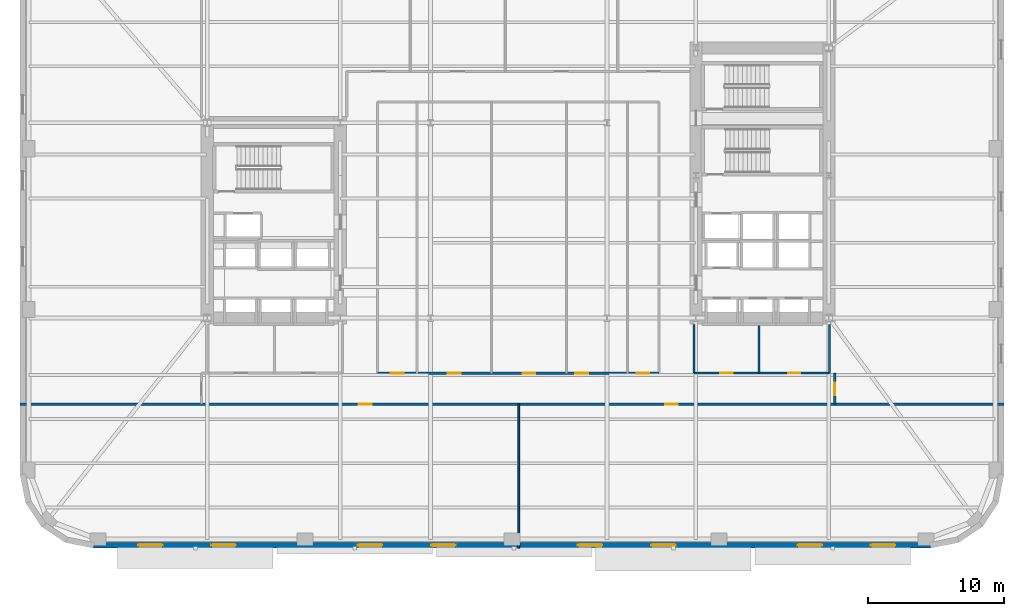
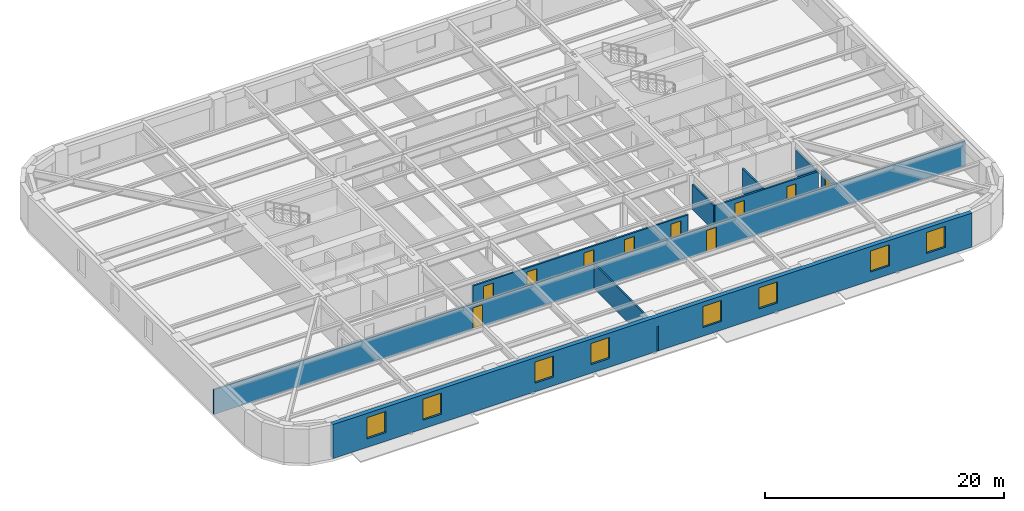
# One storey, part 5 of 14: 10 doors, 9 walls, 8 windows, 18 openings.
"""IFC4 building model written with IfcOpenShell, lengths in metres."""

from ifc_helpers import new_model, si_unit, direction, frame, frame_2d, origin, place, context, subcontext, project, spatial, rectangle, extrude, material, layer, layer_set, type_object, element, fill, save


model = new_model("IFC4")

# Units and contexts
model_context = context("Model", 3, precision=1e-05, world=origin(), true_north=direction((0.0, 1.0)))
body_context = subcontext(model_context, "Body", "Model", "MODEL_VIEW")
ifc_project = project(units=[si_unit("LENGTHUNIT", "METRE"), si_unit("AREAUNIT", "SQUARE_METRE"), si_unit("VOLUMEUNIT", "CUBIC_METRE"), si_unit("PLANEANGLEUNIT", "RADIAN"), si_unit("MASSUNIT", "GRAM", prefix="KILO")], contexts=[model_context])

# Site, building, storey
site_placement = place(None, origin())
site = spatial("IfcSite", under=ifc_project, at=site_placement, CompositionType="ELEMENT")
building_placement = place(site_placement, origin())
building = spatial("IfcBuilding", under=site, at=building_placement, Name="Kolvaren Arena Tower", CompositionType="ELEMENT")
storey_placement = place(building_placement, frame((0.0, 0.0, 75.75)))
storey = spatial("IfcBuildingStorey", under=building, at=storey_placement, Name="L16", CompositionType="ELEMENT", Elevation=75.75)

# Wall, openings, doors
ifc_material_1 = material(Name="Gypsum board acoustic assembly", Category="gypsum")
ifc_layer_1 = layer(ifc_material_1, 0.159912109375)
ifc_layer_set_1 = layer_set([ifc_layer_1], Name="Gypsum board acoustic assembly")
wall_type_1 = type_object("IfcWallType", Name="CORR-160", PredefinedType="PARTITIONING", material=ifc_layer_set_1)
wall_1_placement = place(storey_placement, frame((0.75, 13.10009765625, 0.0), z_axis=(0.0, 0.0, 1.0), x_axis=(1.0, 0.0, 0.0)))
wall_1 = element("IfcWall", 1, at=wall_1_placement, inside=storey, type_object=wall_type_1, Name="Interior Partition Wall (L16)", PredefinedType="PARTITIONING", context=body_context, shape_type="SweptSolid", body=[
    extrude(rectangle(XDim=72.5, YDim=0.159912109375, at=frame_2d((36.25, 0.0))), origin(), (0.0, 0.0, 1.0), 2.5400390625),
])
opening_1_placement = place(wall_1_placement, frame((24.97509765625, 0.0, 0.0)))
opening_1 = element("IfcOpeningElement", 2, at=opening_1_placement, cuts=wall_1, Name="Opening D05", PredefinedType="OPENING", context=body_context, shape_type="SweptSolid", body=[
    extrude(rectangle(XDim=0.949951171875, YDim=2.14990234375, at=frame_2d((0.47509765625, 1.074951171875))), frame((0.0, 0.08984375, 0.0), z_axis=(0.0, -1.0, 0.0), x_axis=(1.0, 0.0, 0.0)), (0.0, 0.0, 1.0), 0.179931640625),
])
opening_2_placement = place(wall_1_placement, frame((47.52490234375, 0.0, 0.0)))
opening_2 = element("IfcOpeningElement", 3, at=opening_2_placement, cuts=wall_1, Name="Opening D05", PredefinedType="OPENING", context=body_context, shape_type="SweptSolid", body=[
    extrude(rectangle(XDim=0.949951171875, YDim=2.14990234375, at=frame_2d((0.47509765625, 1.074951171875))), frame((0.0, 0.08984375, 0.0), z_axis=(0.0, -1.0, 0.0), x_axis=(1.0, 0.0, 0.0)), (0.0, 0.0, 1.0), 0.179931640625),
])
ifc_material_2 = material(Name="Solid-core oak acoustic office door", Category="wood")
door_type_1 = type_object("IfcDoorType", Name="DOOR-OF-095", OperationType="NOTDEFINED", PredefinedType="DOOR", material=ifc_material_2)
door_1_placement = place(opening_1_placement, origin())
door_1 = element("IfcDoor", 4, at=door_1_placement, inside=storey, type_object=door_type_1, Name="Tenant Reception Area Door (L16)", OperationType="SINGLE_SWING_RIGHT", OverallHeight=2.14990234375, OverallWidth=0.949951171875, PredefinedType="DOOR", context=body_context, shape_type="SweptSolid", body=[
    extrude(rectangle(XDim=0.949951171875, YDim=2.14990234375, at=frame_2d((0.47509765625, 1.074951171875))), frame((0.0, 0.02490234375, 0.0), z_axis=(0.0, -1.0, 0.0), x_axis=(1.0, 0.0, 0.0)), (0.0, 0.0, 1.0), 0.050048828125),
])
fill(opening_1, door_1)
door_2_placement = place(opening_2_placement, origin())
door_2 = element("IfcDoor", 5, at=door_2_placement, inside=storey, type_object=door_type_1, Name="Collaborative Work Studio Door (L16)", OperationType="SINGLE_SWING_LEFT", OverallHeight=2.14990234375, OverallWidth=0.949951171875, PredefinedType="DOOR", context=body_context, shape_type="SweptSolid", body=[
    extrude(rectangle(XDim=0.949951171875, YDim=2.14990234375, at=frame_2d((0.47509765625, 1.074951171875))), frame((0.0, 0.02490234375, 0.0), z_axis=(0.0, -1.0, 0.0), x_axis=(1.0, 0.0, 0.0)), (0.0, 0.0, 1.0), 0.050048828125),
])
fill(opening_2, door_2)

wall_2_placement = place(storey_placement, frame((27.080078125, 15.3798828125, 0.0), z_axis=(0.0, 0.0, 1.0), x_axis=(1.0, 0.0, 0.0)))
wall_2 = element("IfcWall", 6, at=wall_2_placement, inside=storey, type_object=wall_type_1, Name="Interior Partition Wall (L16)", PredefinedType="PARTITIONING", context=body_context, shape_type="SweptSolid", body=[
    extrude(rectangle(XDim=20.739990234375, YDim=0.159912109375, at=frame_2d((10.3701171875, 0.0))), origin(), (0.0, 0.0, 1.0), 2.5400390625),
])
opening_3_placement = place(wall_2_placement, frame((0.9951171875, 0.0, 0.0)))
opening_3 = element("IfcOpeningElement", 7, at=opening_3_placement, cuts=wall_2, Name="Opening D05", PredefinedType="OPENING", context=body_context, shape_type="SweptSolid", body=[
    extrude(rectangle(XDim=0.949951171875, YDim=2.14990234375, at=frame_2d((0.47509765625, 1.074951171875))), frame((0.0, 0.08984375, 0.0), z_axis=(0.0, -1.0, 0.0), x_axis=(1.0, 0.0, 0.0)), (0.0, 0.0, 1.0), 0.179931640625),
])
opening_4_placement = place(wall_2_placement, frame((5.195068359375, 0.0, 0.0)))
opening_4 = element("IfcOpeningElement", 8, at=opening_4_placement, cuts=wall_2, Name="Opening D05", PredefinedType="OPENING", context=body_context, shape_type="SweptSolid", body=[
    extrude(rectangle(XDim=0.949951171875, YDim=2.14990234375, at=frame_2d((0.47509765625, 1.074951171875))), frame((0.0, 0.08984375, 0.0), z_axis=(0.0, -1.0, 0.0), x_axis=(1.0, 0.0, 0.0)), (0.0, 0.0, 1.0), 0.179931640625),
])
opening_5_placement = place(wall_2_placement, frame((10.695068359375, 0.0, 0.0)))
opening_5 = element("IfcOpeningElement", 9, at=opening_5_placement, cuts=wall_2, Name="Opening D05", PredefinedType="OPENING", context=body_context, shape_type="SweptSolid", body=[
    extrude(rectangle(XDim=0.949951171875, YDim=2.14990234375, at=frame_2d((0.47509765625, 1.074951171875))), frame((0.0, 0.08984375, 0.0), z_axis=(0.0, -1.0, 0.0), x_axis=(1.0, 0.0, 0.0)), (0.0, 0.0, 1.0), 0.179931640625),
])
opening_6_placement = place(wall_2_placement, frame((14.594970703125, 0.0, 0.0)))
opening_6 = element("IfcOpeningElement", 10, at=opening_6_placement, cuts=wall_2, Name="Opening D05", PredefinedType="OPENING", context=body_context, shape_type="SweptSolid", body=[
    extrude(rectangle(XDim=0.949951171875, YDim=2.14990234375, at=frame_2d((0.47509765625, 1.074951171875))), frame((0.0, 0.08984375, 0.0), z_axis=(0.0, -1.0, 0.0), x_axis=(1.0, 0.0, 0.0)), (0.0, 0.0, 1.0), 0.179931640625),
])
opening_7_placement = place(wall_2_placement, frame((19.094970703125, 0.0, 0.0)))
opening_7 = element("IfcOpeningElement", 11, at=opening_7_placement, cuts=wall_2, Name="Opening D05", PredefinedType="OPENING", context=body_context, shape_type="SweptSolid", body=[
    extrude(rectangle(XDim=0.949951171875, YDim=2.14990234375, at=frame_2d((0.47509765625, 1.074951171875))), frame((0.0, 0.08984375, 0.0), z_axis=(0.0, -1.0, 0.0), x_axis=(1.0, 0.0, 0.0)), (0.0, 0.0, 1.0), 0.179931640625),
])
door_3_placement = place(opening_3_placement, origin())
door_3 = element("IfcDoor", 12, at=door_3_placement, inside=storey, type_object=door_type_1, Name="Tenant Reception Area Door (L16)", OperationType="SINGLE_SWING_RIGHT", OverallHeight=2.14990234375, OverallWidth=0.949951171875, PredefinedType="DOOR", context=body_context, shape_type="SweptSolid", body=[
    extrude(rectangle(XDim=0.949951171875, YDim=2.14990234375, at=frame_2d((0.47509765625, 1.074951171875))), frame((0.0, 0.02490234375, 0.0), z_axis=(0.0, -1.0, 0.0), x_axis=(1.0, 0.0, 0.0)), (0.0, 0.0, 1.0), 0.050048828125),
])
fill(opening_3, door_3)
door_4_placement = place(opening_4_placement, origin())
door_4 = element("IfcDoor", 13, at=door_4_placement, inside=storey, type_object=door_type_1, Name="Collaborative Work Studio Door (L16)", OperationType="SINGLE_SWING_LEFT", OverallHeight=2.14990234375, OverallWidth=0.949951171875, PredefinedType="DOOR", context=body_context, shape_type="SweptSolid", body=[
    extrude(rectangle(XDim=0.949951171875, YDim=2.14990234375, at=frame_2d((0.47509765625, 1.074951171875))), frame((0.0, 0.02490234375, 0.0), z_axis=(0.0, -1.0, 0.0), x_axis=(1.0, 0.0, 0.0)), (0.0, 0.0, 1.0), 0.050048828125),
])
fill(opening_4, door_4)
door_5_placement = place(opening_5_placement, origin())
door_5 = element("IfcDoor", 14, at=door_5_placement, inside=storey, type_object=door_type_1, Name="Open Plan Office Door (L16)", OperationType="SINGLE_SWING_RIGHT", OverallHeight=2.14990234375, OverallWidth=0.949951171875, PredefinedType="DOOR", context=body_context, shape_type="SweptSolid", body=[
    extrude(rectangle(XDim=0.949951171875, YDim=2.14990234375, at=frame_2d((0.47509765625, 1.074951171875))), frame((0.0, 0.02490234375, 0.0), z_axis=(0.0, -1.0, 0.0), x_axis=(1.0, 0.0, 0.0)), (0.0, 0.0, 1.0), 0.050048828125),
])
fill(opening_5, door_5)
door_6_placement = place(opening_6_placement, origin())
door_6 = element("IfcDoor", 15, at=door_6_placement, inside=storey, type_object=door_type_1, Name="Wellness Room Door (L16)", OperationType="SINGLE_SWING_LEFT", OverallHeight=2.14990234375, OverallWidth=0.949951171875, PredefinedType="DOOR", context=body_context, shape_type="SweptSolid", body=[
    extrude(rectangle(XDim=0.949951171875, YDim=2.14990234375, at=frame_2d((0.47509765625, 1.074951171875))), frame((0.0, 0.02490234375, 0.0), z_axis=(0.0, -1.0, 0.0), x_axis=(1.0, 0.0, 0.0)), (0.0, 0.0, 1.0), 0.050048828125),
])
fill(opening_6, door_6)
door_7_placement = place(opening_7_placement, origin())
door_7 = element("IfcDoor", 16, at=door_7_placement, inside=storey, type_object=door_type_1, Name="Boardroom Door (L16)", OperationType="SINGLE_SWING_RIGHT", OverallHeight=2.14990234375, OverallWidth=0.949951171875, PredefinedType="DOOR", context=body_context, shape_type="SweptSolid", body=[
    extrude(rectangle(XDim=0.949951171875, YDim=2.14990234375, at=frame_2d((0.47509765625, 1.074951171875))), frame((0.0, 0.02490234375, 0.0), z_axis=(0.0, -1.0, 0.0), x_axis=(1.0, 0.0, 0.0)), (0.0, 0.0, 1.0), 0.050048828125),
])
fill(opening_7, door_7)

# Wall, opening, door
wall_3_placement = place(storey_placement, frame((60.780029296875, 13.10009765625, 0.0), z_axis=(0.0, 0.0, 1.0), x_axis=(0.0, 1.0, 0.0)))
wall_3 = element("IfcWall", 17, at=wall_3_placement, inside=storey, type_object=wall_type_1, Name="Interior Partition Wall (L16)", PredefinedType="PARTITIONING", context=body_context, shape_type="SweptSolid", body=[
    extrude(rectangle(XDim=2.2998046875, YDim=0.159912109375, at=frame_2d((1.14990234375, 0.0))), origin(), (0.0, 0.0, 1.0), 2.5400390625),
])
opening_8_placement = place(wall_3_placement, frame((0.64990234375, 0.0, 0.0)))
opening_8 = element("IfcOpeningElement", 18, at=opening_8_placement, cuts=wall_3, Name="Opening D05", PredefinedType="OPENING", context=body_context, shape_type="SweptSolid", body=[
    extrude(rectangle(XDim=0.949951171875, YDim=2.14990234375, at=frame_2d((0.47509765625, 1.074951171875))), frame((0.0, 0.08984375, 0.0), z_axis=(0.0, -1.0, 0.0), x_axis=(1.0, 0.0, 0.0)), (0.0, 0.0, 1.0), 0.179931640625),
])
door_8_placement = place(opening_8_placement, origin())
door_8 = element("IfcDoor", 19, at=door_8_placement, inside=storey, type_object=door_type_1, Name="East Wing Studio Door (L16)", OperationType="SINGLE_SWING_RIGHT", OverallHeight=2.14990234375, OverallWidth=0.949951171875, PredefinedType="DOOR", context=body_context, shape_type="SweptSolid", body=[
    extrude(rectangle(XDim=0.949951171875, YDim=2.14990234375, at=frame_2d((0.47509765625, 1.074951171875))), frame((0.0, 0.02490234375, 0.0), z_axis=(0.0, -1.0, 0.0), x_axis=(1.0, 0.0, 0.0)), (0.0, 0.0, 1.0), 0.050048828125),
])
fill(opening_8, door_8)

# Wall, openings, windows
ifc_material_3 = material(Name="Precast concrete C50/60", Category="concrete")
ifc_layer_2 = layer(ifc_material_3, 0.419921875)
ifc_layer_set_2 = layer_set([ifc_layer_2], Name="Precast concrete C50/60")
wall_type_2 = type_object("IfcWallType", Name="EXT-PIER1", PredefinedType="SOLIDWALL", material=ifc_layer_set_2)
wall_4_placement = place(storey_placement, frame((67.85009765625, 2.7099609375, 0.0), z_axis=(0.0, 0.0, 1.0), x_axis=(-1.0, 0.0, 0.0)))
wall_4 = element("IfcWall", 20, at=wall_4_placement, inside=storey, type_object=wall_type_2, Name="Exterior Precast Masonry-Frame Wall (L16)", PredefinedType="SOLIDWALL", context=body_context, shape_type="SweptSolid", body=[
    extrude(rectangle(XDim=61.7001953125, YDim=0.419921875, at=frame_2d((30.85009765625, 0.0))), origin(), (0.0, 0.0, 1.0), 3.47998046875),
])
opening_9_placement = place(wall_4_placement, frame((2.60009765625, 0.0, 0.8798828125)))
opening_9 = element("IfcOpeningElement", 21, at=opening_9_placement, cuts=wall_4, Name="Opening W02", PredefinedType="OPENING", context=body_context, shape_type="SweptSolid", body=[
    extrude(rectangle(XDim=1.800048828125, YDim=2.14990234375, at=frame_2d((0.89990234375, 1.074951171875))), frame((0.0, 0.219970703125, 0.0), z_axis=(0.0, -1.0, 0.0), x_axis=(1.0, 0.0, 0.0)), (0.0, 0.0, 1.0), 0.43994140625),
])
opening_10_placement = place(wall_4_placement, frame((8.0, 0.0, 0.8798828125)))
opening_10 = element("IfcOpeningElement", 22, at=opening_10_placement, cuts=wall_4, Name="Opening W02", PredefinedType="OPENING", context=body_context, shape_type="SweptSolid", body=[
    extrude(rectangle(XDim=1.800048828125, YDim=2.14990234375, at=frame_2d((0.89990234375, 1.074951171875))), frame((0.0, 0.219970703125, 0.0), z_axis=(0.0, -1.0, 0.0), x_axis=(1.0, 0.0, 0.0)), (0.0, 0.0, 1.0), 0.43994140625),
])
opening_11_placement = place(wall_4_placement, frame((18.800048828125, 0.0, 0.8798828125)))
opening_11 = element("IfcOpeningElement", 23, at=opening_11_placement, cuts=wall_4, Name="Opening W02", PredefinedType="OPENING", context=body_context, shape_type="SweptSolid", body=[
    extrude(rectangle(XDim=1.800048828125, YDim=2.14990234375, at=frame_2d((0.89990234375, 1.074951171875))), frame((0.0, 0.219970703125, 0.0), z_axis=(0.0, -1.0, 0.0), x_axis=(1.0, 0.0, 0.0)), (0.0, 0.0, 1.0), 0.43994140625),
])
opening_12_placement = place(wall_4_placement, frame((24.199951171875, 0.0, 0.8798828125)))
opening_12 = element("IfcOpeningElement", 24, at=opening_12_placement, cuts=wall_4, Name="Opening W02", PredefinedType="OPENING", context=body_context, shape_type="SweptSolid", body=[
    extrude(rectangle(XDim=1.800048828125, YDim=2.14990234375, at=frame_2d((0.89990234375, 1.074951171875))), frame((0.0, 0.219970703125, 0.0), z_axis=(0.0, -1.0, 0.0), x_axis=(1.0, 0.0, 0.0)), (0.0, 0.0, 1.0), 0.43994140625),
])
opening_13_placement = place(wall_4_placement, frame((35.0, 0.0, 0.8798828125)))
opening_13 = element("IfcOpeningElement", 25, at=opening_13_placement, cuts=wall_4, Name="Opening W02", PredefinedType="OPENING", context=body_context, shape_type="SweptSolid", body=[
    extrude(rectangle(XDim=1.800048828125, YDim=2.14990234375, at=frame_2d((0.89990234375, 1.074951171875))), frame((0.0, 0.219970703125, 0.0), z_axis=(0.0, -1.0, 0.0), x_axis=(1.0, 0.0, 0.0)), (0.0, 0.0, 1.0), 0.43994140625),
])
opening_14_placement = place(wall_4_placement, frame((40.39990234375, 0.0, 0.8798828125)))
opening_14 = element("IfcOpeningElement", 26, at=opening_14_placement, cuts=wall_4, Name="Opening W02", PredefinedType="OPENING", context=body_context, shape_type="SweptSolid", body=[
    extrude(rectangle(XDim=1.800048828125, YDim=2.14990234375, at=frame_2d((0.89990234375, 1.074951171875))), frame((0.0, 0.219970703125, 0.0), z_axis=(0.0, -1.0, 0.0), x_axis=(1.0, 0.0, 0.0)), (0.0, 0.0, 1.0), 0.43994140625),
])
opening_15_placement = place(wall_4_placement, frame((51.199951171875, 0.0, 0.8798828125)))
opening_15 = element("IfcOpeningElement", 27, at=opening_15_placement, cuts=wall_4, Name="Opening W02", PredefinedType="OPENING", context=body_context, shape_type="SweptSolid", body=[
    extrude(rectangle(XDim=1.800048828125, YDim=2.14990234375, at=frame_2d((0.89990234375, 1.074951171875))), frame((0.0, 0.219970703125, 0.0), z_axis=(0.0, -1.0, 0.0), x_axis=(1.0, 0.0, 0.0)), (0.0, 0.0, 1.0), 0.43994140625),
])
opening_16_placement = place(wall_4_placement, frame((56.60009765625, 0.0, 0.8798828125)))
opening_16 = element("IfcOpeningElement", 28, at=opening_16_placement, cuts=wall_4, Name="Opening W02", PredefinedType="OPENING", context=body_context, shape_type="SweptSolid", body=[
    extrude(rectangle(XDim=1.800048828125, YDim=2.14990234375, at=frame_2d((0.89990234375, 1.074951171875))), frame((0.0, 0.219970703125, 0.0), z_axis=(0.0, -1.0, 0.0), x_axis=(1.0, 0.0, 0.0)), (0.0, 0.0, 1.0), 0.43994140625),
])
ifc_material_4 = material(Name="Triple-glazed low-E aluminium window", Category="aluminium")
window_type = type_object("IfcWindowType", Name="WIN-OFF-B", PartitioningType="DOUBLE_PANEL_VERTICAL", PredefinedType="WINDOW", material=ifc_material_4)
window_1_placement = place(opening_9_placement, origin())
window_1 = element("IfcWindow", 29, at=window_1_placement, inside=storey, type_object=window_type, Name="Punched Precast-Pier Window (L16)", OverallHeight=2.14990234375, OverallWidth=1.800048828125, PartitioningType="DOUBLE_PANEL_VERTICAL", PredefinedType="WINDOW", context=body_context, shape_type="SweptSolid", body=[
    extrude(rectangle(XDim=1.800048828125, YDim=2.14990234375, at=frame_2d((0.89990234375, 1.074951171875))), frame((0.0, 0.030029296875, 0.0), z_axis=(0.0, -1.0, 0.0), x_axis=(1.0, 0.0, 0.0)), (0.0, 0.0, 1.0), 0.06005859375),
])
fill(opening_9, window_1)
window_2_placement = place(opening_10_placement, origin())
window_2 = element("IfcWindow", 30, at=window_2_placement, inside=storey, type_object=window_type, Name="Punched Precast-Pier Window (L16)", OverallHeight=2.14990234375, OverallWidth=1.800048828125, PartitioningType="DOUBLE_PANEL_VERTICAL", PredefinedType="WINDOW", context=body_context, shape_type="SweptSolid", body=[
    extrude(rectangle(XDim=1.800048828125, YDim=2.14990234375, at=frame_2d((0.89990234375, 1.074951171875))), frame((0.0, 0.030029296875, 0.0), z_axis=(0.0, -1.0, 0.0), x_axis=(1.0, 0.0, 0.0)), (0.0, 0.0, 1.0), 0.06005859375),
])
fill(opening_10, window_2)
window_3_placement = place(opening_11_placement, origin())
window_3 = element("IfcWindow", 31, at=window_3_placement, inside=storey, type_object=window_type, Name="Punched Precast-Pier Window (L16)", OverallHeight=2.14990234375, OverallWidth=1.800048828125, PartitioningType="DOUBLE_PANEL_VERTICAL", PredefinedType="WINDOW", context=body_context, shape_type="SweptSolid", body=[
    extrude(rectangle(XDim=1.800048828125, YDim=2.14990234375, at=frame_2d((0.89990234375, 1.074951171875))), frame((0.0, 0.030029296875, 0.0), z_axis=(0.0, -1.0, 0.0), x_axis=(1.0, 0.0, 0.0)), (0.0, 0.0, 1.0), 0.06005859375),
])
fill(opening_11, window_3)
window_4_placement = place(opening_12_placement, origin())
window_4 = element("IfcWindow", 32, at=window_4_placement, inside=storey, type_object=window_type, Name="Punched Precast-Pier Window (L16)", OverallHeight=2.14990234375, OverallWidth=1.800048828125, PartitioningType="DOUBLE_PANEL_VERTICAL", PredefinedType="WINDOW", context=body_context, shape_type="SweptSolid", body=[
    extrude(rectangle(XDim=1.800048828125, YDim=2.14990234375, at=frame_2d((0.89990234375, 1.074951171875))), frame((0.0, 0.030029296875, 0.0), z_axis=(0.0, -1.0, 0.0), x_axis=(1.0, 0.0, 0.0)), (0.0, 0.0, 1.0), 0.06005859375),
])
fill(opening_12, window_4)
window_5_placement = place(opening_13_placement, origin())
window_5 = element("IfcWindow", 33, at=window_5_placement, inside=storey, type_object=window_type, Name="Punched Precast-Pier Window (L16)", OverallHeight=2.14990234375, OverallWidth=1.800048828125, PartitioningType="DOUBLE_PANEL_VERTICAL", PredefinedType="WINDOW", context=body_context, shape_type="SweptSolid", body=[
    extrude(rectangle(XDim=1.800048828125, YDim=2.14990234375, at=frame_2d((0.89990234375, 1.074951171875))), frame((0.0, 0.030029296875, 0.0), z_axis=(0.0, -1.0, 0.0), x_axis=(1.0, 0.0, 0.0)), (0.0, 0.0, 1.0), 0.06005859375),
])
fill(opening_13, window_5)
window_6_placement = place(opening_14_placement, origin())
window_6 = element("IfcWindow", 34, at=window_6_placement, inside=storey, type_object=window_type, Name="Punched Precast-Pier Window (L16)", OverallHeight=2.14990234375, OverallWidth=1.800048828125, PartitioningType="DOUBLE_PANEL_VERTICAL", PredefinedType="WINDOW", context=body_context, shape_type="SweptSolid", body=[
    extrude(rectangle(XDim=1.800048828125, YDim=2.14990234375, at=frame_2d((0.89990234375, 1.074951171875))), frame((0.0, 0.030029296875, 0.0), z_axis=(0.0, -1.0, 0.0), x_axis=(1.0, 0.0, 0.0)), (0.0, 0.0, 1.0), 0.06005859375),
])
fill(opening_14, window_6)
window_7_placement = place(opening_15_placement, origin())
window_7 = element("IfcWindow", 35, at=window_7_placement, inside=storey, type_object=window_type, Name="Punched Precast-Pier Window (L16)", OverallHeight=2.14990234375, OverallWidth=1.800048828125, PartitioningType="DOUBLE_PANEL_VERTICAL", PredefinedType="WINDOW", context=body_context, shape_type="SweptSolid", body=[
    extrude(rectangle(XDim=1.800048828125, YDim=2.14990234375, at=frame_2d((0.89990234375, 1.074951171875))), frame((0.0, 0.030029296875, 0.0), z_axis=(0.0, -1.0, 0.0), x_axis=(1.0, 0.0, 0.0)), (0.0, 0.0, 1.0), 0.06005859375),
])
fill(opening_15, window_7)
window_8_placement = place(opening_16_placement, origin())
window_8 = element("IfcWindow", 36, at=window_8_placement, inside=storey, type_object=window_type, Name="Punched Precast-Pier Window (L16)", OverallHeight=2.14990234375, OverallWidth=1.800048828125, PartitioningType="DOUBLE_PANEL_VERTICAL", PredefinedType="WINDOW", context=body_context, shape_type="SweptSolid", body=[
    extrude(rectangle(XDim=1.800048828125, YDim=2.14990234375, at=frame_2d((0.89990234375, 1.074951171875))), frame((0.0, 0.030029296875, 0.0), z_axis=(0.0, -1.0, 0.0), x_axis=(1.0, 0.0, 0.0)), (0.0, 0.0, 1.0), 0.06005859375),
])
fill(opening_16, window_8)

# Wall
ifc_material_5 = material(Name="Gypsum board partition assembly", Category="gypsum")
ifc_layer_3 = layer(ifc_material_5, 0.135009765625)
ifc_layer_set_3 = layer_set([ifc_layer_3], Name="Gypsum board partition assembly")
wall_type_3 = type_object("IfcWallType", Name="PART-135", PredefinedType="PARTITIONING", material=ifc_layer_set_3)
wall_5_placement = place(storey_placement, frame((37.5, 2.5, 0.0), z_axis=(0.0, 0.0, 1.0), x_axis=(0.0, 1.0, 0.0)))
element("IfcWall", 37, at=wall_5_placement, inside=storey, type_object=wall_type_3, Name="Interior Partition Wall (L16)", PredefinedType="PARTITIONING", context=body_context, shape_type="SweptSolid", body=[
    extrude(rectangle(XDim=10.60009765625, YDim=0.135009765625, at=frame_2d((5.300048828125, 0.0))), origin(), (0.0, 0.0, 1.0), 2.5400390625),
])

# Wall, openings, doors
ifc_material_6 = material(Name="Concrete 45 MPa", Category="concrete")
ifc_layer_4 = layer(ifc_material_6, 0.25)
ifc_layer_set_4 = layer_set([ifc_layer_4], Name="Concrete 45 MPa")
wall_type_4 = type_object("IfcWallType", Name="SHAFT-250", PredefinedType="SOLIDWALL", material=ifc_layer_set_4)
wall_6_placement = place(storey_placement, frame((50.39990234375, 15.39990234375, 0.0), z_axis=(0.0, 0.0, 1.0), x_axis=(1.0, 0.0, 0.0)))
wall_6 = element("IfcWall", 38, at=wall_6_placement, inside=storey, type_object=wall_type_4, Name="Interior Partition Wall (L16)", PredefinedType="SOLIDWALL", context=body_context, shape_type="SweptSolid", body=[
    extrude(rectangle(XDim=10.0, YDim=0.179931640625, at=frame_2d((5.0, 0.0))), origin(), (0.0, 0.0, 1.0), 2.5400390625),
])
opening_17_placement = place(wall_6_placement, frame((1.93994140625, 0.0, 0.0)))
opening_17 = element("IfcOpeningElement", 39, at=opening_17_placement, cuts=wall_6, Name="Opening D07", PredefinedType="OPENING", context=body_context, shape_type="SweptSolid", body=[
    extrude(rectangle(XDim=0.919921875, YDim=2.10009765625, at=frame_2d((0.4599609375, 1.050048828125))), frame((0.0, 0.099853515625, 0.0), z_axis=(0.0, -1.0, 0.0), x_axis=(1.0, 0.0, 0.0)), (0.0, 0.0, 1.0), 0.199951171875),
])
opening_18_placement = place(wall_6_placement, frame((6.969970703125, 0.0, 0.0)))
opening_18 = element("IfcOpeningElement", 40, at=opening_18_placement, cuts=wall_6, Name="Opening D09", PredefinedType="OPENING", context=body_context, shape_type="SweptSolid", body=[
    extrude(rectangle(XDim=0.860107421875, YDim=2.050048828125, at=frame_2d((0.43017578125, 1.02490234375))), frame((0.0, 0.099853515625, 0.0), z_axis=(0.0, -1.0, 0.0), x_axis=(1.0, 0.0, 0.0)), (0.0, 0.0, 1.0), 0.199951171875),
])
ifc_material_7 = material(Name="Fire-rated steel riser access door", Category="steel")
door_type_2 = type_object("IfcDoorType", Name="DOOR-RS-086", OperationType="NOTDEFINED", PredefinedType="DOOR", material=ifc_material_7)
door_9_placement = place(opening_18_placement, origin())
door_9 = element("IfcDoor", 41, at=door_9_placement, inside=storey, type_object=door_type_2, Name="Electrical Riser Closet Door (L16)", OperationType="SINGLE_SWING_LEFT", OverallHeight=2.050048828125, OverallWidth=0.860107421875, PredefinedType="DOOR", context=body_context, shape_type="SweptSolid", body=[
    extrude(rectangle(XDim=0.860107421875, YDim=2.050048828125, at=frame_2d((0.43017578125, 1.02490234375))), frame((0.0, 0.02490234375, 0.0), z_axis=(0.0, -1.0, 0.0), x_axis=(1.0, 0.0, 0.0)), (0.0, 0.0, 1.0), 0.050048828125),
])
fill(opening_18, door_9)
ifc_material_8 = material(Name="Laminate universal washroom door", Category="wood")
door_type_3 = type_object("IfcDoorType", Name="DOOR-WC-092", OperationType="NOTDEFINED", PredefinedType="DOOR", material=ifc_material_8)
door_10_placement = place(opening_17_placement, origin())
door_10 = element("IfcDoor", 42, at=door_10_placement, inside=storey, type_object=door_type_3, Name="Cleaner and Janitor Store Door (L16)", OperationType="SINGLE_SWING_RIGHT", OverallHeight=2.10009765625, OverallWidth=0.919921875, PredefinedType="DOOR", context=body_context, shape_type="SweptSolid", body=[
    extrude(rectangle(XDim=0.919921875, YDim=2.10009765625, at=frame_2d((0.4599609375, 1.050048828125))), frame((0.0, 0.02490234375, 0.0), z_axis=(0.0, -1.0, 0.0), x_axis=(1.0, 0.0, 0.0)), (0.0, 0.0, 1.0), 0.050048828125),
])
fill(opening_17, door_10)

# Walls
ifc_material_9 = material(Name="Moisture-resistant gypsum assembly", Category="gypsum")
ifc_layer_5 = layer(ifc_material_9, 0.14990234375)
ifc_layer_set_5 = layer_set([ifc_layer_5], Name="Moisture-resistant gypsum assembly")
wall_type_5 = type_object("IfcWallType", Name="WETW-150", PredefinedType="PARTITIONING", material=ifc_layer_set_5)
for number, where, z_axis, x_axis, name in (
    (43, (55.199951171875, 15.39990234375, 0.0), (0.0, 0.0, 1.0), (0.0, 1.0, 0.0), "Interior Partition Wall (L16)"),
    (44, (50.39990234375, 15.39990234375, 0.0), (0.0, 0.0, 1.0), (0.0, 1.0, 0.0), "Interior Partition Wall (L16)"),
    (45, (60.39990234375, 15.39990234375, 0.0), (0.0, 0.0, 1.0), (0.0, 1.0, 0.0), "Interior Partition Wall (L16)"),
):
    element("IfcWall", number, at=place(storey_placement, frame(where, z_axis=z_axis, x_axis=x_axis)), inside=storey, type_object=wall_type_5, Name=name, PredefinedType="PARTITIONING", context=body_context, shape_type="SweptSolid", body=[
        extrude(rectangle(XDim=3.580078125, YDim=0.14990234375, at=frame_2d((1.7900390625, 0.0))), origin(), (0.0, 0.0, 1.0), 2.5400390625),
    ])

save(model, "model.ifc")
